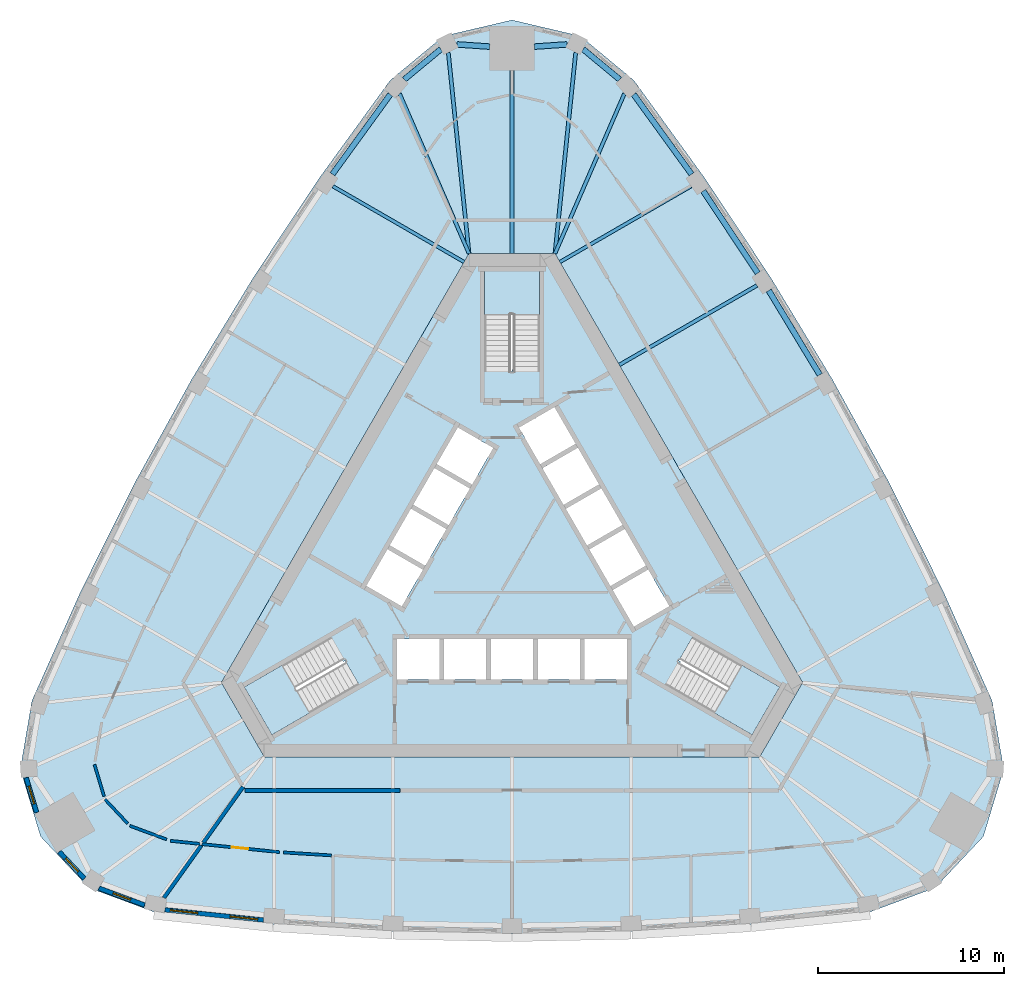
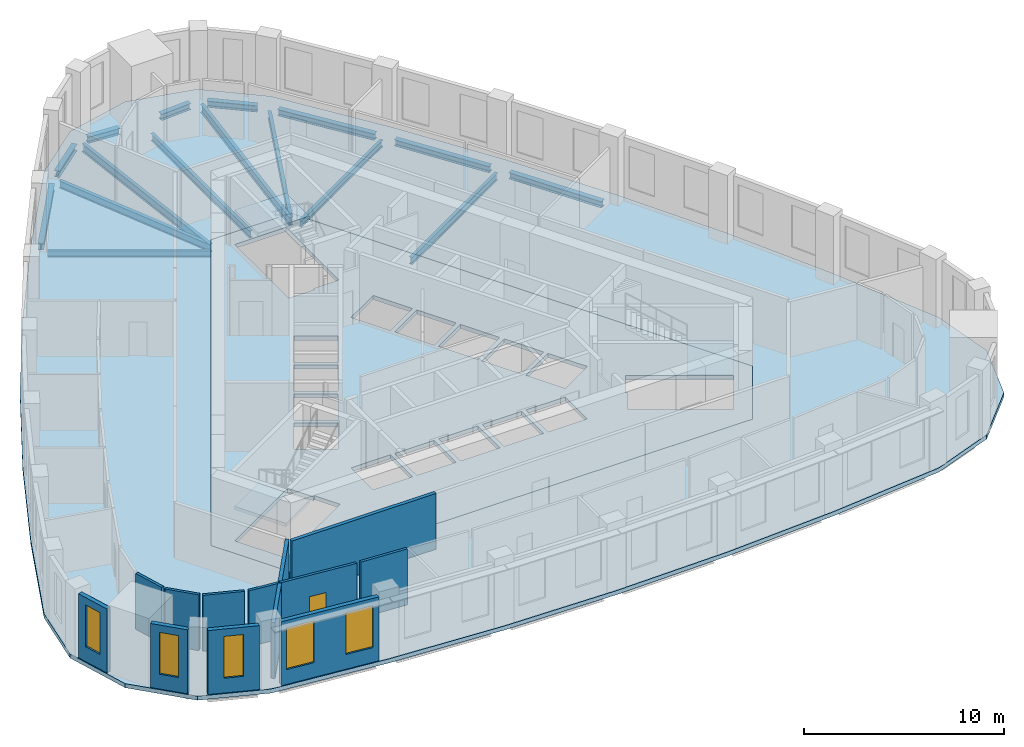
# One storey, part 2 of 11: 16 beams, 13 walls, 5 slabs, 5 windows, 1 door, 6 openings, 3 elements without a shape of their own.
"""IFC4 building model written with IfcOpenShell, lengths in metres."""

from ifc_helpers import new_model, si_unit, direction, frame, frame_2d, origin, origin_2d, place, context, subcontext, project, spatial, polyline, rectangle, i_section, outline, extrude, material, layer, layer_set, material_profile, profile_set, type_object, element, fill, aggregate, save


model = new_model("IFC4")

# Units and contexts
model_context = context("Model", 3, precision=1e-05, world=origin(), true_north=direction((0.0, 1.0)))
body_context = subcontext(model_context, "Body", "Model", "MODEL_VIEW")
ifc_project = project(units=[si_unit("LENGTHUNIT", "METRE"), si_unit("AREAUNIT", "SQUARE_METRE"), si_unit("VOLUMEUNIT", "CUBIC_METRE"), si_unit("PLANEANGLEUNIT", "RADIAN"), si_unit("MASSUNIT", "GRAM", prefix="KILO")], contexts=[model_context])

# Site, building, storey
site_placement = place(None, origin())
site = spatial("IfcSite", under=ifc_project, at=site_placement, CompositionType="ELEMENT")
building_placement = place(site_placement, origin())
building = spatial("IfcBuilding", under=site, at=building_placement, Name="Mestral Congress Tower", CompositionType="ELEMENT")
storey_placement = place(building_placement, frame((0.0, 0.0, 252.0)))
storey = spatial("IfcBuildingStorey", under=building, at=storey_placement, Name="L59", CompositionType="ELEMENT", Elevation=252.0)

# Beams
ifc_material_1 = material(Name="Steel S355", Category="steel")
ifc_material_profile_1 = material_profile(ifc_material_1, i_section(OverallWidth=0.179931640625, OverallDepth=0.39990234375, WebThickness=0.008544921875, FlangeThickness=0.013427734375, FilletRadius=0.02099609375, at=origin_2d()), Name="IPE 400")
ifc_profile_set_1 = profile_set([ifc_material_profile_1], Name="Steel S355")
beam_type_1 = type_object("IfcBeamType", Name="Floor beam IPE 400 S355", PredefinedType="BEAM", material=ifc_profile_set_1)
for number, where, z_axis, x_axis, name in (
    (1, (9.627197265625, 20.321533203125, -0.449951171875), (-0.86601443812, -0.500018992608, 0.0), (0.500018992608, -0.86601443812, 0.0), "BM-L59-RB4-E05"),
    (2, (-9.627197265625, 20.321533203125, -0.449951171875), (0.86601443812, -0.500018992608, 0.0), (0.500018992608, 0.86601443812, 0.0), "BM-L59-RB4-W01"),
):
    element("IfcBeam", number, at=place(storey_placement, frame(where, z_axis=z_axis, x_axis=x_axis)), inside=storey, type_object=beam_type_1, Name=name, PredefinedType="BEAM", context=body_context, shape_type="SweptSolid", body=[
        extrude(i_section(OverallWidth=0.179931640625, OverallDepth=0.39990234375, WebThickness=0.008544921875, FlangeThickness=0.013427734375, FilletRadius=0.02099609375, at=origin_2d()), origin(), (0.0, 0.0, 1.0), 8.148193359375),
    ])
ifc_material_profile_2 = material_profile(ifc_material_1, i_section(OverallWidth=0.18994140625, OverallDepth=0.449951171875, WebThickness=0.009521484375, FlangeThickness=0.0146484375, FilletRadius=0.02099609375, at=origin_2d()), Name="IPE 450")
ifc_profile_set_2 = profile_set([ifc_material_profile_2], Name="Steel S355")
beam_type_2 = type_object("IfcBeamType", Name="Floor beam IPE 450 S355", PredefinedType="BEAM", material=ifc_profile_set_2)
beam_1_placement = place(storey_placement, frame((13.16650390625, 14.98974609375, -0.47509765625), z_axis=(-0.866028621479, -0.499994426748, 0.0), x_axis=(0.499994426748, -0.866028621479, 0.0)))
element("IfcBeam", 3, at=beam_1_placement, inside=storey, type_object=beam_type_2, Name="BM-L59-RB4-E04", PredefinedType="BEAM", context=body_context, shape_type="SweptSolid", body=[
    extrude(i_section(OverallWidth=0.18994140625, OverallDepth=0.449951171875, WebThickness=0.009521484375, FlangeThickness=0.0146484375, FilletRadius=0.02099609375, at=origin_2d()), origin(), (0.0, 0.0, 1.0), 8.54736328125),
])
beam_2_placement = place(storey_placement, frame((6.0419921875, 25.296875, -0.47509765625), z_axis=(-0.398265997009, -0.91726996878, 0.0), x_axis=(0.91726996878, -0.398265997009, 0.0)))
element("IfcBeam", 4, at=beam_2_placement, inside=storey, type_object=beam_type_2, Name="BM-L59-RB4-E06", PredefinedType="BEAM", context=body_context, shape_type="SweptSolid", body=[
    extrude(i_section(OverallWidth=0.18994140625, OverallDepth=0.449951171875, WebThickness=0.009521484375, FlangeThickness=0.0146484375, FilletRadius=0.02099609375, at=origin_2d()), origin(), (0.0, 0.0, 1.0), 9.372314453125),
])
beam_3_placement = place(storey_placement, frame((0.0, 26.54443359375, -0.47509765625), z_axis=(0.0, -1.0, 0.0), x_axis=(1.0, 0.0, 0.0)))
element("IfcBeam", 5, at=beam_3_placement, inside=storey, type_object=beam_type_2, Name="BM-L59-RB4-N", PredefinedType="BEAM", context=body_context, shape_type="SweptSolid", body=[
    extrude(i_section(OverallWidth=0.18994140625, OverallDepth=0.449951171875, WebThickness=0.009521484375, FlangeThickness=0.0146484375, FilletRadius=0.02099609375, at=origin_2d()), origin(), (0.0, 0.0, 1.0), 9.844482421875),
])
beam_4_placement = place(storey_placement, frame((-6.0419921875, 25.296875, -0.47509765625), z_axis=(0.398265997009, -0.91726996878, 0.0), x_axis=(0.91726996878, 0.398265997009, 0.0)))
element("IfcBeam", 6, at=beam_4_placement, inside=storey, type_object=beam_type_2, Name="BM-L59-RB4-W00", PredefinedType="BEAM", context=body_context, shape_type="SweptSolid", body=[
    extrude(i_section(OverallWidth=0.18994140625, OverallDepth=0.449951171875, WebThickness=0.009521484375, FlangeThickness=0.0146484375, FilletRadius=0.02099609375, at=origin_2d()), origin(), (0.0, 0.0, 1.0), 9.372314453125),
])
ifc_material_profile_3 = material_profile(ifc_material_1, i_section(OverallWidth=0.199951171875, OverallDepth=0.5, WebThickness=0.01025390625, FlangeThickness=0.01611328125, FilletRadius=0.02099609375, at=origin_2d()), Name="IPE 500")
ifc_profile_set_3 = profile_set([ifc_material_profile_3], Name="Steel S355")
beam_type_3 = type_object("IfcBeamType", Name="Floor beam IPE 500 S355", PredefinedType="BEAM", material=ifc_profile_set_3)
for number, where, z_axis, x_axis, name in (
    (7, (3.4228515625, 27.5009765625, -0.5), (-0.102550876252, -0.994727760636, 0.0), (0.994727760636, -0.102550876252, 0.0), "BM-L59-RB4-N1"),
    (8, (-3.4228515625, 27.5009765625, -0.5), (0.102550876252, -0.994727760636, 0.0), (0.994727760636, 0.102550876252, 0.0), "BM-L59-RB4-N3"),
):
    element("IfcBeam", number, at=place(storey_placement, frame(where, z_axis=z_axis, x_axis=x_axis)), inside=storey, type_object=beam_type_3, Name=name, PredefinedType="BEAM", context=body_context, shape_type="SweptSolid", body=[
        extrude(i_section(OverallWidth=0.199951171875, OverallDepth=0.5, WebThickness=0.01025390625, FlangeThickness=0.01611328125, FilletRadius=0.02099609375, at=origin_2d()), origin(), (0.0, 0.0, 1.0), 10.858154296875),
    ])
ifc_material_profile_4 = material_profile(ifc_material_1, i_section(OverallWidth=0.300048828125, OverallDepth=0.389892578125, WebThickness=0.010986328125, FlangeThickness=0.01904296875, FilletRadius=0.027099609375, at=origin_2d()), Name="HEA 400")
ifc_profile_set_4 = profile_set([ifc_material_profile_4], Name="Steel S355")
beam_type_4 = type_object("IfcBeamType", Name="Spandrel beam HEA 400 S355", PredefinedType="BEAM", material=ifc_profile_set_4)
for number, where, z_axis, x_axis, name in (
    (9, (16.54248046875, 10.185791015625, -0.445068359375), (-0.517865676042, 0.855461946306, 0.0), (-0.855461946306, -0.517865676042, 0.0), "SP-L59-SB4-E03"),
    (10, (13.209228515625, 15.648193359375, -0.445068359375), (-0.552934106774, 0.833224983762, 0.0), (-0.833224983762, -0.552934106774, 0.0), "SP-L59-SB4-E04"),
):
    element("IfcBeam", number, at=place(storey_placement, frame(where, z_axis=z_axis, x_axis=x_axis)), inside=storey, type_object=beam_type_4, Name=name, PredefinedType="BEAM", context=body_context, shape_type="SweptSolid", body=[
        extrude(i_section(OverallWidth=0.300048828125, OverallDepth=0.389892578125, WebThickness=0.010986328125, FlangeThickness=0.01904296875, FilletRadius=0.027099609375, at=origin_2d()), origin(), (0.0, 0.0, 1.0), 5.29931640625),
    ])
beam_5_placement = place(storey_placement, frame((9.652099609375, 20.967529296875, -0.445068359375), z_axis=(-0.587017415163, 0.809574304369, 0.0), x_axis=(-0.809574304369, -0.587017415163, 0.0)))
element("IfcBeam", 11, at=beam_5_placement, inside=storey, type_object=beam_type_4, Name="SP-L59-SB4-E05", PredefinedType="BEAM", context=body_context, shape_type="SweptSolid", body=[
    extrude(i_section(OverallWidth=0.300048828125, OverallDepth=0.389892578125, WebThickness=0.010986328125, FlangeThickness=0.01904296875, FilletRadius=0.027099609375, at=origin_2d()), origin(), (0.0, 0.0, 1.0), 5.29736328125),
])
beam_6_placement = place(storey_placement, frame((5.789306640625, 26.058837890625, -0.445068359375), z_axis=(-0.769970431757, 0.638079567311, 0.0), x_axis=(-0.638079567311, -0.769970431757, 0.0)))
element("IfcBeam", 12, at=beam_6_placement, inside=storey, type_object=beam_type_4, Name="SP-L59-SB4-E06", PredefinedType="BEAM", context=body_context, shape_type="SweptSolid", body=[
    extrude(i_section(OverallWidth=0.300048828125, OverallDepth=0.389892578125, WebThickness=0.010986328125, FlangeThickness=0.01904296875, FilletRadius=0.027099609375, at=origin_2d()), origin(), (0.0, 0.0, 1.0), 2.547119140625),
])
for number, where, z_axis, x_axis, name in (
    (13, (2.9521484375, 27.94384765625, -0.445068359375), (-0.997724466462, -0.067423208337, 0.0), (0.067423208337, -0.997724466462, 0.0), "SP-L59-SB4-N1"),
    (14, (-1.199951171875, 27.825439453125, -0.445068359375), (-0.997724466462, 0.067423208337, 0.0), (-0.067423208337, -0.997724466462, 0.0), "SP-L59-SB4-N"),
):
    element("IfcBeam", number, at=place(storey_placement, frame(where, z_axis=z_axis, x_axis=x_axis)), inside=storey, type_object=beam_type_4, Name=name, PredefinedType="BEAM", context=body_context, shape_type="SweptSolid", body=[
        extrude(i_section(OverallWidth=0.300048828125, OverallDepth=0.389892578125, WebThickness=0.010986328125, FlangeThickness=0.01904296875, FilletRadius=0.027099609375, at=origin_2d()), origin(), (0.0, 0.0, 1.0), 1.756103515625),
    ])
beam_7_placement = place(storey_placement, frame((-3.828125, 27.68408203125, -0.445068359375), z_axis=(-0.769970431757, -0.638079567311, 0.0), x_axis=(0.638079567311, -0.769970431757, 0.0)))
element("IfcBeam", 15, at=beam_7_placement, inside=storey, type_object=beam_type_4, Name="SP-L59-SB4-N3", PredefinedType="BEAM", context=body_context, shape_type="SweptSolid", body=[
    extrude(i_section(OverallWidth=0.300048828125, OverallDepth=0.389892578125, WebThickness=0.010986328125, FlangeThickness=0.01904296875, FilletRadius=0.027099609375, at=origin_2d()), origin(), (0.0, 0.0, 1.0), 2.547119140625),
])
beam_8_placement = place(storey_placement, frame((-6.54248046875, 25.256103515625, -0.445068359375), z_axis=(-0.587017415163, -0.809574304369, 0.0), x_axis=(0.809574304369, -0.587017415163, 0.0)))
element("IfcBeam", 16, at=beam_8_placement, inside=storey, type_object=beam_type_4, Name="SP-L59-SB4-W00", PredefinedType="BEAM", context=body_context, shape_type="SweptSolid", body=[
    extrude(i_section(OverallWidth=0.300048828125, OverallDepth=0.389892578125, WebThickness=0.010986328125, FlangeThickness=0.01904296875, FilletRadius=0.027099609375, at=origin_2d()), origin(), (0.0, 0.0, 1.0), 5.29736328125),
])

# Slabs
ifc_material_2 = material(Name="Concrete C35/45", Category="concrete")
ifc_layer_1 = layer(ifc_material_2, 0.25)
ifc_layer_set_1 = layer_set([ifc_layer_1], Name="Concrete C35/45")
slab_type_1 = type_object("IfcSlabType", Name="Composite floor slab 250", PredefinedType="FLOOR", material=ifc_layer_set_1)
placement_1 = place(storey_placement, frame((0.0, 0.0, -0.25)))
element("IfcSlab", 17, at=placement_1, inside=storey, type_object=slab_type_1, Name="SL-L59", PredefinedType="FLOOR", context=body_context, shape_type="SweptSolid", body=[
    extrude(outline(polyline([(-19.253662109375, -18.678466796875), (-22.75, -17.381591796875), (-25.3369140625, -14.62841796875), (-26.427978515625, -11.01123046875), (-25.802978515625, -7.334716796875), (-23.16748046875, -1.4306640625), (-20.310302734375, 4.316650390625), (-17.21728515625, 9.9404296875), (-13.8935546875, 15.430908203125), (-10.3447265625, 20.77880859375), (-6.54931640625, 26.013427734375), (-3.677978515625, 28.392822265625), (0.0, 29.256591796875), (3.677978515625, 28.392822265625), (6.54931640625, 26.013427734375), (10.3447265625, 20.77880859375), (13.8935546875, 15.430908203125), (17.21728515625, 9.9404296875), (20.310302734375, 4.316650390625), (23.16748046875, -1.4306640625), (25.802978515625, -7.334716796875), (26.427978515625, -11.01123046875), (25.3369140625, -14.62841796875), (22.75, -17.381591796875), (19.253662109375, -18.678466796875), (12.822509765625, -19.34814453125), (6.416748046875, -19.74755859375), (0.0, -19.880615234375), (-6.416748046875, -19.74755859375), (-12.822509765625, -19.34814453125), (-19.253662109375, -18.678466796875)]), holes=[polyline([(-2.309326171875, 16.699951171875), (-15.6171875, -6.35009765625), (-13.307861328125, -10.35009765625), (13.307861328125, -10.35009765625), (15.6171875, -6.35009765625), (2.309326171875, 16.699951171875), (-2.309326171875, 16.699951171875)])]), origin(), (0.0, 0.0, 1.0), 0.25),
])
ifc_material_3 = material(Name="Concrete C60/75", Category="concrete")
ifc_layer_2 = layer(ifc_material_3, 0.25)
ifc_layer_set_2 = layer_set([ifc_layer_2], Name="Concrete C60/75")
slab_type_2 = type_object("IfcSlabType", Name="Core floor slab RC 250", PredefinedType="FLOOR", material=ifc_layer_set_2)
element("IfcSlab", 18, at=placement_1, inside=storey, type_object=slab_type_2, Name="L59 core floor", PredefinedType="FLOOR", context=body_context, shape_type="SweptSolid", body=[
    extrude(outline(polyline([(13.307861328125, -10.35009765625), (-13.307861328125, -10.35009765625), (-15.6171875, -6.35009765625), (-2.309326171875, 16.699951171875), (2.309326171875, 16.699951171875), (15.6171875, -6.35009765625), (13.307861328125, -10.35009765625)]), holes=[polyline([(-9.8046875, -3.95751953125), (-14.37744140625, -6.59765625), (-12.90234375, -9.15234375), (-8.234619140625, -6.45751953125), (-8.971923828125, -5.179931640625), (-9.0673828125, -5.235107421875), (-9.8046875, -3.95751953125)]), polyline([(-3.905029296875, -4.0), (-6.175048828125, -4.0), (-6.175048828125, -6.199951171875), (-3.905029296875, -6.199951171875), (-3.905029296875, -4.0)]), polyline([(-1.385009765625, -4.0), (-3.655029296875, -4.0), (-3.655029296875, -6.199951171875), (-1.385009765625, -6.199951171875), (-1.385009765625, -4.0)]), polyline([(1.135009765625, -4.0), (-1.135009765625, -4.0), (-1.135009765625, -6.199951171875), (1.135009765625, -6.199951171875), (1.135009765625, -4.0)]), polyline([(-5.921630859375, -2.256591796875), (-4.78662109375, -0.29052734375), (-6.69189453125, 0.809326171875), (-7.826904296875, -1.156494140625), (-5.921630859375, -2.256591796875)]), polyline([(-4.66162109375, -0.07421875), (-3.526611328125, 1.8916015625), (-5.431884765625, 2.99169921875), (-6.56689453125, 1.02587890625), (-4.66162109375, -0.07421875)]), polyline([(-3.401611328125, 2.1083984375), (-2.2666015625, 4.07421875), (-4.171875, 5.174072265625), (-5.306884765625, 3.208251953125), (-3.401611328125, 2.1083984375)]), polyline([(-2.1416015625, 4.29052734375), (-1.006591796875, 6.256591796875), (-2.911865234375, 7.3564453125), (-4.046875, 5.390625), (-2.1416015625, 4.29052734375)]), polyline([(1.47509765625, 10.469970703125), (1.47509765625, 15.75), (-1.47509765625, 15.75), (-1.47509765625, 10.360107421875), (0.0, 10.360107421875), (0.0, 10.469970703125), (1.47509765625, 10.469970703125)]), polyline([(8.329833984375, -6.512451171875), (12.90234375, -9.15234375), (14.37744140625, -6.59765625), (9.70947265625, -3.902587890625), (8.971923828125, -5.179931640625), (9.0673828125, -5.235107421875), (8.329833984375, -6.512451171875)]), polyline([(3.655029296875, -4.0), (1.385009765625, -4.0), (1.385009765625, -6.199951171875), (3.655029296875, -6.199951171875), (3.655029296875, -4.0)]), polyline([(6.175048828125, -4.0), (3.905029296875, -4.0), (3.905029296875, -6.199951171875), (6.175048828125, -6.199951171875), (6.175048828125, -4.0)]), polyline([(5.41650390625, -1.3818359375), (6.551513671875, -3.34765625), (8.456787109375, -2.247802734375), (7.322021484375, -0.28173828125), (5.41650390625, -1.3818359375)]), polyline([(4.156494140625, 0.800537109375), (5.29150390625, -1.165283203125), (7.197021484375, -0.065185546875), (6.06201171875, 1.900634765625), (4.156494140625, 0.800537109375)]), polyline([(2.896484375, 2.98291015625), (4.031494140625, 1.01708984375), (5.93701171875, 2.1171875), (4.802001953125, 4.0830078125), (2.896484375, 2.98291015625)]), polyline([(3.5419921875, 6.265380859375), (1.63671875, 5.165283203125), (2.771484375, 3.199462890625), (4.677001953125, 4.29931640625), (3.5419921875, 6.265380859375)]), polyline([(2.281982421875, 8.44775390625), (0.376708984375, 7.34765625), (1.51171875, 5.3818359375), (3.4169921875, 6.481689453125), (2.281982421875, 8.44775390625)])]), origin(), (0.0, 0.0, 1.0), 0.25),
])

# Stair, slab
stair_type = type_object("IfcStairType", Name="Exit stair 1400", PredefinedType="HALF_TURN_STAIR", material=ifc_material_3)
placement_2 = place(storey_placement, origin())
stair_1 = element("IfcStair", 19, at=placement_2, inside=storey, type_object=stair_type, Name="L59 ST1", PredefinedType="HALF_TURN_STAIR")
ifc_layer_3 = layer(ifc_material_3, 0.199951171875)
ifc_layer_set_3 = layer_set([ifc_layer_3], Name="Concrete C60/75")
slab_type_3 = type_object("IfcSlabType", Name="Exit stair landing 200", PredefinedType="LANDING", material=ifc_layer_set_3)
placement_3 = place(storey_placement, frame((0.0, 0.0, 1.89990234375)))
slab_3 = element("IfcSlab", 20, at=placement_3, type_object=slab_type_3, Name="ST1 landing 1", PredefinedType="LANDING", context=body_context, shape_type="SweptSolid", body=[
    extrude(outline(polyline([(10.879638671875, -7.99609375), (12.364501953125, -5.424072265625), (14.39111328125, -6.593994140625), (12.906005859375, -9.166015625), (10.879638671875, -7.99609375)])), origin(), (0.0, 0.0, 1.0), 0.2001953125),
])
aggregate(stair_1, [slab_3])

stair_2 = element("IfcStair", 21, at=placement_2, inside=storey, type_object=stair_type, Name="L59 ST2", PredefinedType="HALF_TURN_STAIR")
slab_4 = element("IfcSlab", 22, at=placement_3, type_object=slab_type_3, Name="ST2 landing 1", PredefinedType="LANDING", context=body_context, shape_type="SweptSolid", body=[
    extrude(outline(polyline([(1.485107421875, 13.419921875), (-1.485107421875, 13.419921875), (-1.485107421875, 15.760009765625), (1.485107421875, 15.760009765625), (1.485107421875, 13.419921875)])), origin(), (0.0, 0.0, 1.0), 0.2001953125),
])
aggregate(stair_2, [slab_4])

stair_3 = element("IfcStair", 23, at=placement_2, inside=storey, type_object=stair_type, Name="L59 ST3", PredefinedType="HALF_TURN_STAIR")
slab_5 = element("IfcSlab", 24, at=placement_3, type_object=slab_type_3, Name="ST3 landing 1", PredefinedType="LANDING", context=body_context, shape_type="SweptSolid", body=[
    extrude(outline(polyline([(-12.364501953125, -5.424072265625), (-10.879638671875, -7.99609375), (-12.906005859375, -9.166015625), (-14.39111328125, -6.593994140625), (-12.364501953125, -5.424072265625)])), origin(), (0.0, 0.0, 1.0), 0.2001953125),
])
aggregate(stair_3, [slab_5])

# Wall, openings, windows
ifc_material_4 = material(Name="Precast concrete C40/50 with limestone facing", Category="masonry")
ifc_layer_4 = layer(ifc_material_4, 0.239990234375)
ifc_layer_set_4 = layer_set([ifc_layer_4], Name="Precast concrete C40/50 with limestone facing")
wall_type_1 = type_object("IfcWallType", Name="Facade stone wall 240", PredefinedType="SOLIDWALL", material=ifc_layer_set_4)
wall_1_placement = place(storey_placement, frame((-18.644287109375, -18.571044921875, 0.0), z_axis=(0.0, 0.0, 1.0), x_axis=(0.994621961215, -0.103571976272, 0.0)))
wall_1 = element("IfcWall", 25, at=wall_1_placement, inside=storey, type_object=wall_type_1, Name="Facade wall F0-00", PredefinedType="SOLIDWALL", context=body_context, shape_type="SweptSolid", body=[
    extrude(rectangle(XDim=5.310791015625, YDim=0.239990234375, at=frame_2d((2.6552734375, 0.0))), origin(), (0.0, 0.0, 1.0), 3.89990234375),
])
opening_1_placement = place(wall_1_placement, frame((0.271484375, 0.0, 0.89990234375)))
opening_1 = element("IfcOpeningElement", 26, at=opening_1_placement, cuts=wall_1, Name="Opening W4", PredefinedType="OPENING", context=body_context, shape_type="SweptSolid", body=[
    extrude(rectangle(XDim=1.5, YDim=2.550048828125, at=frame_2d((0.75, 1.27490234375))), frame((0.0, 0.1298828125, 0.0), z_axis=(0.0, -1.0, 0.0), x_axis=(1.0, 0.0, 0.0)), (0.0, 0.0, 1.0), 0.260009765625),
])
opening_2_placement = place(wall_1_placement, frame((3.50439453125, 0.0, 0.89990234375)))
opening_2 = element("IfcOpeningElement", 27, at=opening_2_placement, cuts=wall_1, Name="Opening W4", PredefinedType="OPENING", context=body_context, shape_type="SweptSolid", body=[
    extrude(rectangle(XDim=1.5, YDim=2.550048828125, at=frame_2d((0.75, 1.27490234375))), frame((0.0, 0.1298828125, 0.0), z_axis=(0.0, -1.0, 0.0), x_axis=(1.0, 0.0, 0.0)), (0.0, 0.0, 1.0), 0.260009765625),
])
ifc_material_5 = material(Name="Clear low-emissivity double glazing", Category="glass")
window_type_1 = type_object("IfcWindowType", Name="Facade punched window 1500 x 2550 sill 900", PartitioningType="SINGLE_PANEL", PredefinedType="WINDOW", material=ifc_material_5)
window_1_placement = place(opening_1_placement, origin())
window_1 = element("IfcWindow", 28, at=window_1_placement, inside=storey, type_object=window_type_1, Name="Window F0-00a", OverallHeight=2.550048828125, OverallWidth=1.5, PartitioningType="SINGLE_PANEL", PredefinedType="WINDOW", context=body_context, shape_type="SweptSolid", body=[
    extrude(rectangle(XDim=1.5, YDim=2.550048828125, at=frame_2d((0.75, 1.27490234375))), frame((0.0, 0.0400390625, 0.0), z_axis=(0.0, -1.0, 0.0), x_axis=(1.0, 0.0, 0.0)), (0.0, 0.0, 1.0), 0.06005859375),
])
fill(opening_1, window_1)
window_2_placement = place(opening_2_placement, origin())
window_2 = element("IfcWindow", 29, at=window_2_placement, inside=storey, type_object=window_type_1, Name="Window F0-00b", OverallHeight=2.550048828125, OverallWidth=1.5, PartitioningType="SINGLE_PANEL", PredefinedType="WINDOW", context=body_context, shape_type="SweptSolid", body=[
    extrude(rectangle(XDim=1.5, YDim=2.550048828125, at=frame_2d((0.75, 1.27490234375))), frame((0.0, 0.0400390625, 0.0), z_axis=(0.0, -1.0, 0.0), x_axis=(1.0, 0.0, 0.0)), (0.0, 0.0, 1.0), 0.06005859375),
])
fill(opening_2, window_2)

# Wall, opening, window
wall_2_placement = place(storey_placement, frame((-26.1123046875, -11.469482421875, 0.0), z_axis=(0.0, 0.0, 1.0), x_axis=(0.288727209095, -0.957411405159, 0.0)))
wall_2 = element("IfcWall", 30, at=wall_2_placement, inside=storey, type_object=wall_type_1, Name="Facade wall K2-1", PredefinedType="SOLIDWALL", context=body_context, shape_type="SweptSolid", body=[
    extrude(rectangle(XDim=1.9482421875, YDim=0.239990234375, at=frame_2d((0.97412109375, 0.0))), origin(), (0.0, 0.0, 1.0), 3.89990234375),
])
opening_3_placement = place(wall_2_placement, frame((0.47412109375, 0.0, 0.89990234375)))
opening_3 = element("IfcOpeningElement", 31, at=opening_3_placement, cuts=wall_2, Name="Opening W5", PredefinedType="OPENING", context=body_context, shape_type="SweptSolid", body=[
    extrude(rectangle(XDim=1.0, YDim=2.550048828125, at=frame_2d((0.5, 1.27490234375))), frame((0.0, 0.1298828125, 0.0), z_axis=(0.0, -1.0, 0.0), x_axis=(1.0, 0.0, 0.0)), (0.0, 0.0, 1.0), 0.260009765625),
])
window_type_2 = type_object("IfcWindowType", Name="Facade punched window 1000 x 2550 sill 900", PartitioningType="SINGLE_PANEL", PredefinedType="WINDOW", material=ifc_material_5)
window_3_placement = place(opening_3_placement, origin())
window_3 = element("IfcWindow", 32, at=window_3_placement, inside=storey, type_object=window_type_2, Name="Window K2-1", OverallHeight=2.550048828125, OverallWidth=1.0, PartitioningType="SINGLE_PANEL", PredefinedType="WINDOW", context=body_context, shape_type="SweptSolid", body=[
    extrude(rectangle(XDim=1.0, YDim=2.550048828125, at=frame_2d((0.5, 1.27490234375))), frame((0.0, 0.0400390625, 0.0), z_axis=(0.0, -1.0, 0.0), x_axis=(1.0, 0.0, 0.0)), (0.0, 0.0, 1.0), 0.06005859375),
])
fill(opening_3, window_3)

wall_3_placement = place(storey_placement, frame((-24.322998046875, -15.459228515625, 0.0), z_axis=(0.0, 0.0, 1.0), x_axis=(0.684770274166, -0.728758994194, 0.0)))
wall_3 = element("IfcWall", 33, at=wall_3_placement, inside=storey, type_object=wall_type_1, Name="Facade wall K2-2", PredefinedType="SOLIDWALL", context=body_context, shape_type="SweptSolid", body=[
    extrude(rectangle(XDim=1.947998046875, YDim=0.239990234375, at=frame_2d((0.97412109375, 0.0))), origin(), (0.0, 0.0, 1.0), 3.89990234375),
])
opening_4_placement = place(wall_3_placement, frame((0.47412109375, 0.0, 0.89990234375)))
opening_4 = element("IfcOpeningElement", 34, at=opening_4_placement, cuts=wall_3, Name="Opening W5", PredefinedType="OPENING", context=body_context, shape_type="SweptSolid", body=[
    extrude(rectangle(XDim=1.0, YDim=2.550048828125, at=frame_2d((0.5, 1.27490234375))), frame((0.0, 0.1298828125, 0.0), z_axis=(0.0, -1.0, 0.0), x_axis=(1.0, 0.0, 0.0)), (0.0, 0.0, 1.0), 0.260009765625),
])
window_4_placement = place(opening_4_placement, origin())
window_4 = element("IfcWindow", 35, at=window_4_placement, inside=storey, type_object=window_type_2, Name="Window K2-2", OverallHeight=2.550048828125, OverallWidth=1.0, PartitioningType="SINGLE_PANEL", PredefinedType="WINDOW", context=body_context, shape_type="SweptSolid", body=[
    extrude(rectangle(XDim=1.0, YDim=2.550048828125, at=frame_2d((0.5, 1.27490234375))), frame((0.0, 0.0400390625, 0.0), z_axis=(0.0, -1.0, 0.0), x_axis=(1.0, 0.0, 0.0)), (0.0, 0.0, 1.0), 0.06005859375),
])
fill(opening_4, window_4)

wall_4_placement = place(storey_placement, frame((-22.194091796875, -17.406494140625, 0.0), z_axis=(0.0, 0.0, 1.0), x_axis=(0.937569171184, -0.347798863203, 0.0)))
wall_4 = element("IfcWall", 36, at=wall_4_placement, inside=storey, type_object=wall_type_1, Name="Facade wall K2-3", PredefinedType="SOLIDWALL", context=body_context, shape_type="SweptSolid", body=[
    extrude(rectangle(XDim=2.609130859375, YDim=0.239990234375, at=frame_2d((1.3046875, 0.0))), origin(), (0.0, 0.0, 1.0), 3.89990234375),
])
opening_5_placement = place(wall_4_placement, frame((0.8046875, 0.0, 0.89990234375)))
opening_5 = element("IfcOpeningElement", 37, at=opening_5_placement, cuts=wall_4, Name="Opening W5", PredefinedType="OPENING", context=body_context, shape_type="SweptSolid", body=[
    extrude(rectangle(XDim=1.0, YDim=2.550048828125, at=frame_2d((0.5, 1.27490234375))), frame((0.0, 0.1298828125, 0.0), z_axis=(0.0, -1.0, 0.0), x_axis=(1.0, 0.0, 0.0)), (0.0, 0.0, 1.0), 0.260009765625),
])
window_5_placement = place(opening_5_placement, origin())
window_5 = element("IfcWindow", 38, at=window_5_placement, inside=storey, type_object=window_type_2, Name="Window K2-3", OverallHeight=2.550048828125, OverallWidth=1.0, PartitioningType="SINGLE_PANEL", PredefinedType="WINDOW", context=body_context, shape_type="SweptSolid", body=[
    extrude(rectangle(XDim=1.0, YDim=2.550048828125, at=frame_2d((0.5, 1.27490234375))), frame((0.0, 0.0400390625, 0.0), z_axis=(0.0, -1.0, 0.0), x_axis=(1.0, 0.0, 0.0)), (0.0, 0.0, 1.0), 0.06005859375),
])
fill(opening_5, window_5)

# Wall, opening, door
ifc_material_6 = material(Name="Plasterboard partition on steel studs", Category="steel")
ifc_layer_5 = layer(ifc_material_6, 0.14990234375)
ifc_layer_set_5 = layer_set([ifc_layer_5], Name="Plasterboard partition on steel studs")
wall_type_2 = type_object("IfcWallType", Name="Office partition 150", PredefinedType="PARTITIONING", material=ifc_layer_set_5)
wall_5_placement = place(storey_placement, frame((-12.5, -15.470703125, 0.0), z_axis=(0.0, 0.0, 1.0), x_axis=(-0.99462267413, 0.103565129778, 0.0)))
wall_5 = element("IfcWall", 39, at=wall_5_placement, inside=storey, type_object=wall_type_2, Name="Partition", PredefinedType="PARTITIONING", context=body_context, shape_type="SweptSolid", body=[
    extrude(rectangle(XDim=4.17724609375, YDim=0.14990234375, at=frame_2d((2.088623046875, 0.0))), origin(), (0.0, 0.0, 1.0), 3.39990234375),
])
opening_6_placement = place(wall_5_placement, frame((1.67724609375, 0.0, 0.0)))
opening_6 = element("IfcOpeningElement", 40, at=opening_6_placement, cuts=wall_5, Name="Opening O10-001", PredefinedType="OPENING", context=body_context, shape_type="SweptSolid", body=[
    extrude(rectangle(XDim=0.89990234375, YDim=2.10009765625, at=frame_2d((0.449951171875, 1.050048828125))), frame((0.0, 0.0849609375, 0.0), z_axis=(0.0, -1.0, 0.0), x_axis=(1.0, 0.0, 0.0)), (0.0, 0.0, 1.0), 0.169921875),
])
ifc_material_7 = material(Name="Timber door set", Category="wood")
door_type = type_object("IfcDoorType", Name="Office door 900x2100", OperationType="SINGLE_SWING_LEFT", PredefinedType="DOOR", material=ifc_material_7)
door_placement = place(opening_6_placement, origin())
door = element("IfcDoor", 41, at=door_placement, inside=storey, type_object=door_type, Name="Door O10-001", OperationType="SINGLE_SWING_RIGHT", OverallHeight=2.10009765625, OverallWidth=0.89990234375, PredefinedType="DOOR", context=body_context, shape_type="SweptSolid", body=[
    extrude(rectangle(XDim=0.89990234375, YDim=2.10009765625, at=frame_2d((0.449951171875, 1.050048828125))), frame((0.0, 0.02490234375, 0.0), z_axis=(0.0, -1.0, 0.0), x_axis=(1.0, 0.0, 0.0)), (0.0, 0.0, 1.0), 0.050048828125),
])
fill(opening_6, door)

# Walls
wall_6_placement = place(storey_placement, frame((-12.2861328125, -15.484130859375, 0.0), z_axis=(0.0, 0.0, 1.0), x_axis=(0.99806098397, -0.062243652509, 0.0)))
element("IfcWall", 42, at=wall_6_placement, inside=storey, type_object=wall_type_2, Name="Partition", PredefinedType="PARTITIONING", context=body_context, shape_type="SweptSolid", body=[
    extrude(rectangle(XDim=2.5966796875, YDim=0.14990234375, at=frame_2d((1.29833984375, 0.0))), origin(), (0.0, 0.0, 1.0), 3.39990234375),
])
wall_7_placement = place(storey_placement, frame((-16.76904296875, -15.026123046875, 0.0), z_axis=(0.0, 0.0, 1.0), x_axis=(-0.994627569422, 0.103518105401, 0.0)))
element("IfcWall", 43, at=wall_7_placement, inside=storey, type_object=wall_type_2, Name="Partition", PredefinedType="PARTITIONING", context=body_context, shape_type="SweptSolid", body=[
    extrude(rectangle(XDim=1.601318359375, YDim=0.14990234375, at=frame_2d((0.80078125, 0.0))), origin(), (0.0, 0.0, 1.0), 3.39990234375),
])
wall_8_placement = place(storey_placement, frame((-18.5625, -14.785888671875, 0.0), z_axis=(0.0, 0.0, 1.0), x_axis=(-0.937602119917, 0.347710029662, 0.0)))
element("IfcWall", 44, at=wall_8_placement, inside=storey, type_object=wall_type_2, Name="Partition", PredefinedType="PARTITIONING", context=body_context, shape_type="SweptSolid", body=[
    extrude(rectangle(XDim=2.10986328125, YDim=0.14990234375, at=frame_2d((1.054931640625, 0.0))), origin(), (0.0, 0.0, 1.0), 3.39990234375),
])
wall_9_placement = place(storey_placement, frame((-20.656005859375, -13.929443359375, 0.0), z_axis=(0.0, 0.0, 1.0), x_axis=(-0.684710738871, 0.728814931293, 0.0)))
element("IfcWall", 45, at=wall_9_placement, inside=storey, type_object=wall_type_2, Name="Partition", PredefinedType="PARTITIONING", context=body_context, shape_type="SweptSolid", body=[
    extrude(rectangle(XDim=1.782470703125, YDim=0.14990234375, at=frame_2d((0.89111328125, 0.0))), origin(), (0.0, 0.0, 1.0), 3.39990234375),
])
wall_10_placement = place(storey_placement, frame((-21.92529296875, -12.468994140625, 0.0), z_axis=(0.0, 0.0, 1.0), x_axis=(-0.288767705809, 0.957399191603, 0.0)))
element("IfcWall", 46, at=wall_10_placement, inside=storey, type_object=wall_type_2, Name="Partition", PredefinedType="PARTITIONING", context=body_context, shape_type="SweptSolid", body=[
    extrude(rectangle(XDim=1.7822265625, YDim=0.14990234375, at=frame_2d((0.89111328125, 0.0))), origin(), (0.0, 0.0, 1.0), 3.39990234375),
])
ifc_material_8 = material(Name="Dense masonry wall, plastered", Category="masonry")
ifc_layer_6 = layer(ifc_material_8, 0.199951171875)
ifc_layer_set_6 = layer_set([ifc_layer_6], Name="Dense masonry wall, plastered")
wall_type_3 = type_object("IfcWallType", Name="Office tenancy wall 200", PredefinedType="PARTITIONING", material=ifc_layer_set_6)
wall_11_placement = place(storey_placement, frame((-18.708984375, -17.915771484375, 0.0), z_axis=(0.0, 0.0, 1.0), x_axis=(0.581023923954, 0.813886478444, 0.0)))
element("IfcWall", 47, at=wall_11_placement, inside=storey, type_object=wall_type_3, Name="Tenancy wall", PredefinedType="PARTITIONING", context=body_context, shape_type="SweptSolid", body=[
    extrude(rectangle(XDim=3.449462890625, YDim=0.199951171875, at=frame_2d((1.724609375, 0.0))), origin(), (0.0, 0.0, 1.0), 3.39990234375),
])
wall_12_placement = place(storey_placement, frame((-16.6044921875, -14.968017578125, 0.0), z_axis=(0.0, 0.0, 1.0), x_axis=(0.581000735813, 0.813903031684, 0.0)))
element("IfcWall", 48, at=wall_12_placement, inside=storey, type_object=wall_type_3, Name="Tenancy wall", PredefinedType="PARTITIONING", context=body_context, shape_type="SweptSolid", body=[
    extrude(rectangle(XDim=3.696044921875, YDim=0.199951171875, at=frame_2d((1.84814453125, 0.0))), origin(), (0.0, 0.0, 1.0), 3.39990234375),
])
wall_13_placement = place(storey_placement, frame((-14.34716796875, -12.14990234375, 0.0), z_axis=(0.0, 0.0, 1.0), x_axis=(1.0, 0.0, 0.0)))
element("IfcWall", 49, at=wall_13_placement, inside=storey, type_object=wall_type_3, Name="Tenancy wall", PredefinedType="PARTITIONING", context=body_context, shape_type="SweptSolid", body=[
    extrude(rectangle(XDim=8.317138671875, YDim=0.199951171875, at=frame_2d((4.15869140625, 0.0))), origin(), (0.0, 0.0, 1.0), 3.39990234375),
])

save(model, "model.ifc")
